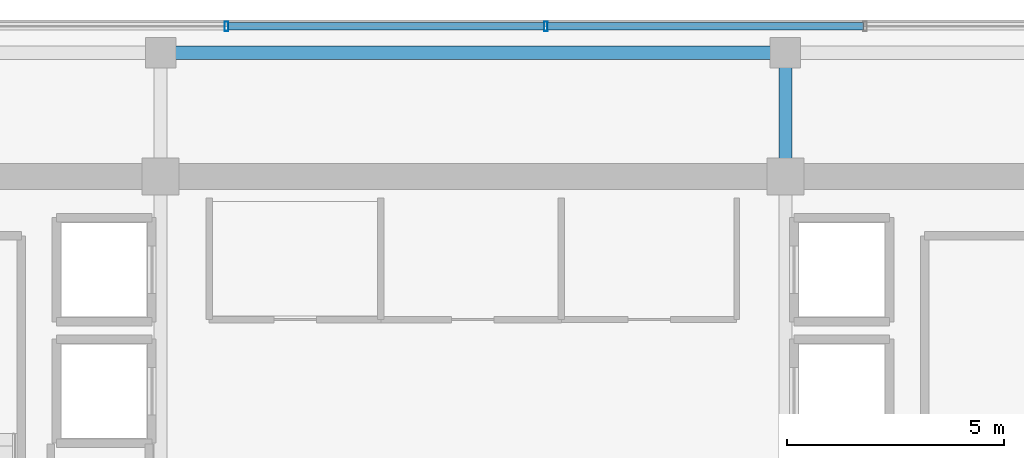
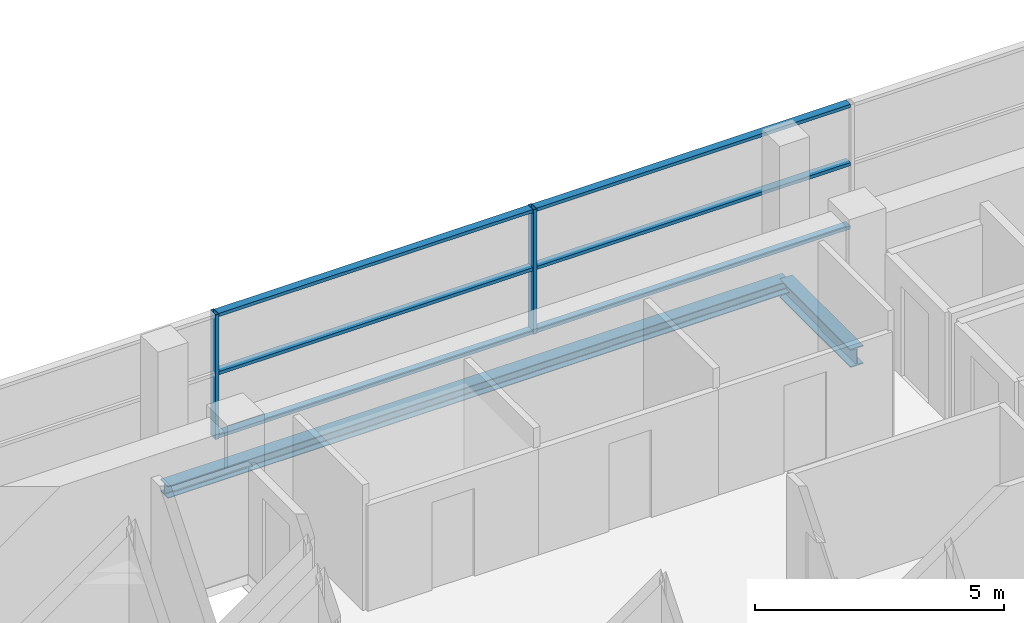
# One storey, part 12 of 22: 8 members, 2 beams, 1 element without a shape of its own.
"""IFC4 building model written with IfcOpenShell, lengths in metres."""

from ifc_helpers import new_model, si_unit, direction, frame, origin, origin_2d, place, context, subcontext, project, spatial, hollow_rectangle, i_section, extrude, source, transform, mapped, material, layer, layer_set, material_profile, profile_set, type_object, element, aggregate, save


model = new_model("IFC4")

# Units and contexts
model_context = context("Model", 3, precision=1e-05, world=origin(), true_north=direction((0.0, 1.0)))
body_context = subcontext(model_context, "Body", "Model", "MODEL_VIEW")
ifc_project = project(units=[si_unit("LENGTHUNIT", "METRE"), si_unit("AREAUNIT", "SQUARE_METRE"), si_unit("VOLUMEUNIT", "CUBIC_METRE"), si_unit("PLANEANGLEUNIT", "RADIAN"), si_unit("MASSUNIT", "GRAM", prefix="KILO")], contexts=[model_context])

# Site, building, storey
site_placement = place(None, origin())
site = spatial("IfcSite", under=ifc_project, at=site_placement, CompositionType="ELEMENT")
building_placement = place(site_placement, origin())
building = spatial("IfcBuilding", under=site, at=building_placement, Name="Zarnakvel Exchange Tower", CompositionType="ELEMENT")
storey_placement = place(building_placement, frame((0.0, 0.0, 228.699951171875)))
storey = spatial("IfcBuildingStorey", under=building, at=storey_placement, Name="L64", CompositionType="ELEMENT", Elevation=228.699951171875)

# Beams
ifc_material_1 = material(Name="Steel S355", Category="steel")
ifc_material_profile_1 = material_profile(ifc_material_1, i_section(OverallWidth=0.300048828125, OverallDepth=0.449951171875, WebThickness=0.013916015625, FlangeThickness=0.02587890625, FilletRadius=0.027099609375, at=origin_2d()))
ifc_profile_set_1 = profile_set([ifc_material_profile_1], Name="Steel S355")
beam_type_1 = type_object("IfcBeamType", Name="G-07", PredefinedType="BEAM", material=ifc_profile_set_1)
beam_1_placement = place(storey_placement, frame((7.199951171875, 13.5, -0.449951171875), z_axis=(0.0, 1.0, 0.0), x_axis=(-1.0, 0.0, 0.0)))
element("IfcBeam", 1, at=beam_1_placement, inside=storey, type_object=beam_type_1, Name="L64 Tower N-S Frame Beam", PredefinedType="BEAM", context=body_context, shape_type="SweptSolid", body=[
    extrude(i_section(OverallWidth=0.300048828125, OverallDepth=0.449951171875, WebThickness=0.013916015625, FlangeThickness=0.02587890625, FilletRadius=0.027099609375, at=origin_2d()), origin(), (0.0, 0.0, 1.0), 2.85009765625),
])
ifc_material_profile_2 = material_profile(ifc_material_1, i_section(OverallWidth=0.300048828125, OverallDepth=0.300048828125, WebThickness=0.010986328125, FlangeThickness=0.01904296875, FilletRadius=0.027099609375, at=origin_2d()))
ifc_profile_set_2 = profile_set([ifc_material_profile_2], Name="Steel S355")
beam_type_2 = type_object("IfcBeamType", Name="SP-03", PredefinedType="SPANDREL", material=ifc_profile_set_2)
beam_2_placement = place(storey_placement, frame((-7.199951171875, 16.35009765625, -0.375), z_axis=(1.0, 0.0, 0.0), x_axis=(0.0, 1.0, 0.0)))
element("IfcBeam", 2, at=beam_2_placement, inside=storey, type_object=beam_type_2, Name="L64 Tower E-W Frame Beam", PredefinedType="SPANDREL", context=body_context, shape_type="SweptSolid", body=[
    extrude(i_section(OverallWidth=0.300048828125, OverallDepth=0.300048828125, WebThickness=0.010986328125, FlangeThickness=0.01904296875, FilletRadius=0.027099609375, at=origin_2d()), origin(), (0.0, 0.0, 1.0), 14.39990234375),
])

# Curtain wall, members
ifc_material_2 = material(Name="Architectural Bronze Anodised Aluminium", Category="aluminium")
ifc_layer = layer(ifc_material_2, 0.219970703125)
ifc_layer_set = layer_set([ifc_layer], Name="Architectural Bronze Anodised Aluminium")
curtain_wall_type = type_object("IfcCurtainWallType", Name="CW-03", PredefinedType="NOTDEFINED", material=ifc_layer_set)
curtain_wall_placement = place(storey_placement, origin())
curtain_wall = element("IfcCurtainWall", 3, at=curtain_wall_placement, inside=storey, type_object=curtain_wall_type, Name="L64 Curtain Wall CW-L64-N1 (CW-03)", PredefinedType="NOTDEFINED")
ifc_material_profile_3 = material_profile(ifc_material_2, hollow_rectangle(XDim=0.219970703125, YDim=0.080078125, WallThickness=0.0048828125, at=origin_2d()))
ifc_profile_set_3 = profile_set([ifc_material_profile_3], Name="Architectural Bronze Anodised Aluminium")
member_type_1 = type_object("IfcMemberType", Name="CWM-03", PredefinedType="MULLION", material=ifc_profile_set_3)
shared_shape_1 = source(origin(), body_context, "Body", "SweptSolid", [
    extrude(hollow_rectangle(XDim=0.219970703125, YDim=0.080078125, WallThickness=0.0048828125, at=origin_2d()), origin(), (0.0, 0.0, 1.0), 3.054931640625),
])
member_1_placement = place(storey_placement, frame((-5.679931640625, 16.9599609375, 0.0), z_axis=(0.0, 0.0, 1.0), x_axis=(0.0, 1.0, 0.0)))
member_1 = element("IfcMember", 4, at=member_1_placement, type_object=member_type_1, Name="CW-03 mullion 3", PredefinedType="MULLION", context=body_context, shape_type="MappedRepresentation", body=[
    mapped(shared_shape_1, transform((0.0, 0.0, 0.0), x_axis=(1.0, 0.0, 0.0), y_axis=(0.0, 1.0, 0.0), z_axis=(0.0, 0.0, 1.0), scale=1.0)),
])
member_2_placement = place(storey_placement, frame((1.679931640625, 16.9599609375, 0.0), z_axis=(0.0, 0.0, 1.0), x_axis=(0.0, 1.0, 0.0)))
member_2 = element("IfcMember", 5, at=member_2_placement, type_object=member_type_1, Name="CW-03 mullion 4", PredefinedType="MULLION", context=body_context, shape_type="MappedRepresentation", body=[
    mapped(shared_shape_1, transform((0.0, 0.0, 0.0), x_axis=(1.0, 0.0, 0.0), y_axis=(0.0, 1.0, 0.0), z_axis=(0.0, 0.0, 1.0), scale=1.0)),
])
ifc_material_profile_4 = material_profile(ifc_material_2, hollow_rectangle(XDim=0.179931640625, YDim=0.080078125, WallThickness=0.00390625, at=origin_2d()))
ifc_profile_set_4 = profile_set([ifc_material_profile_4], Name="Architectural Bronze Anodised Aluminium")
member_type_2 = type_object("IfcMemberType", Name="CWT-03", PredefinedType="USERDEFINED", material=ifc_profile_set_4)
shared_shape_2 = source(origin(), body_context, "Body", "SweptSolid", [
    extrude(hollow_rectangle(XDim=0.179931640625, YDim=0.080078125, WallThickness=0.00390625, at=origin_2d()), origin(), (0.0, 0.0, 1.0), 7.280029296875),
])
member_3_placement = place(storey_placement, frame((1.719970703125, 16.9599609375, 0.0400390625), z_axis=(1.0, 0.0, 0.0), x_axis=(0.0, 1.0, 0.0)))
member_3 = element("IfcMember", 6, at=member_3_placement, type_object=member_type_2, Name="CW-03 transom 4.1", ObjectType="TRANSOM", PredefinedType="USERDEFINED", context=body_context, shape_type="MappedRepresentation", body=[
    mapped(shared_shape_2, transform((0.0, 0.0, 0.0), x_axis=(1.0, 0.0, 0.0), y_axis=(0.0, 1.0, 0.0), z_axis=(0.0, 0.0, 1.0), scale=1.0)),
])
member_4_placement = place(storey_placement, frame((1.719970703125, 16.9599609375, 1.588623046875), z_axis=(1.0, 0.0, 0.0), x_axis=(0.0, 1.0, 0.0)))
member_4 = element("IfcMember", 7, at=member_4_placement, type_object=member_type_2, Name="CW-03 transom 4.2", ObjectType="TRANSOM", PredefinedType="USERDEFINED", context=body_context, shape_type="MappedRepresentation", body=[
    mapped(shared_shape_2, transform((0.0, 0.0, 0.0), x_axis=(1.0, 0.0, 0.0), y_axis=(0.0, 1.0, 0.0), z_axis=(0.0, 0.0, 1.0), scale=1.0)),
])
member_5_placement = place(storey_placement, frame((1.719970703125, 16.9599609375, 3.01513671875), z_axis=(1.0, 0.0, 0.0), x_axis=(0.0, 1.0, 0.0)))
member_5 = element("IfcMember", 8, at=member_5_placement, type_object=member_type_2, Name="CW-03 transom 4.3", ObjectType="TRANSOM", PredefinedType="USERDEFINED", context=body_context, shape_type="MappedRepresentation", body=[
    mapped(shared_shape_2, transform((0.0, 0.0, 0.0), x_axis=(1.0, 0.0, 0.0), y_axis=(0.0, 1.0, 0.0), z_axis=(0.0, 0.0, 1.0), scale=1.0)),
])
shared_shape_3 = source(origin(), body_context, "Body", "SweptSolid", [
    extrude(hollow_rectangle(XDim=0.179931640625, YDim=0.080078125, WallThickness=0.00390625, at=origin_2d()), origin(), (0.0, 0.0, 1.0), 7.27978515625),
])
member_6_placement = place(storey_placement, frame((-5.639892578125, 16.9599609375, 0.0400390625), z_axis=(1.0, 0.0, 0.0), x_axis=(0.0, 1.0, 0.0)))
member_6 = element("IfcMember", 9, at=member_6_placement, type_object=member_type_2, Name="CW-03 transom 3.1", ObjectType="TRANSOM", PredefinedType="USERDEFINED", context=body_context, shape_type="MappedRepresentation", body=[
    mapped(shared_shape_3, transform((0.0, 0.0, 0.0), x_axis=(1.0, 0.0, 0.0), y_axis=(0.0, 1.0, 0.0), z_axis=(0.0, 0.0, 1.0), scale=1.0)),
])
member_7_placement = place(storey_placement, frame((-5.639892578125, 16.9599609375, 1.588623046875), z_axis=(1.0, 0.0, 0.0), x_axis=(0.0, 1.0, 0.0)))
member_7 = element("IfcMember", 10, at=member_7_placement, type_object=member_type_2, Name="CW-03 transom 3.2", ObjectType="TRANSOM", PredefinedType="USERDEFINED", context=body_context, shape_type="MappedRepresentation", body=[
    mapped(shared_shape_3, transform((0.0, 0.0, 0.0), x_axis=(1.0, 0.0, 0.0), y_axis=(0.0, 1.0, 0.0), z_axis=(0.0, 0.0, 1.0), scale=1.0)),
])
member_8_placement = place(storey_placement, frame((-5.639892578125, 16.9599609375, 3.01513671875), z_axis=(1.0, 0.0, 0.0), x_axis=(0.0, 1.0, 0.0)))
member_8 = element("IfcMember", 11, at=member_8_placement, type_object=member_type_2, Name="CW-03 transom 3.3", ObjectType="TRANSOM", PredefinedType="USERDEFINED", context=body_context, shape_type="MappedRepresentation", body=[
    mapped(shared_shape_3, transform((0.0, 0.0, 0.0), x_axis=(1.0, 0.0, 0.0), y_axis=(0.0, 1.0, 0.0), z_axis=(0.0, 0.0, 1.0), scale=1.0)),
])
aggregate(curtain_wall, [member_1, member_2, member_6, member_7, member_8, member_3, member_4, member_5])

save(model, "model.ifc")
